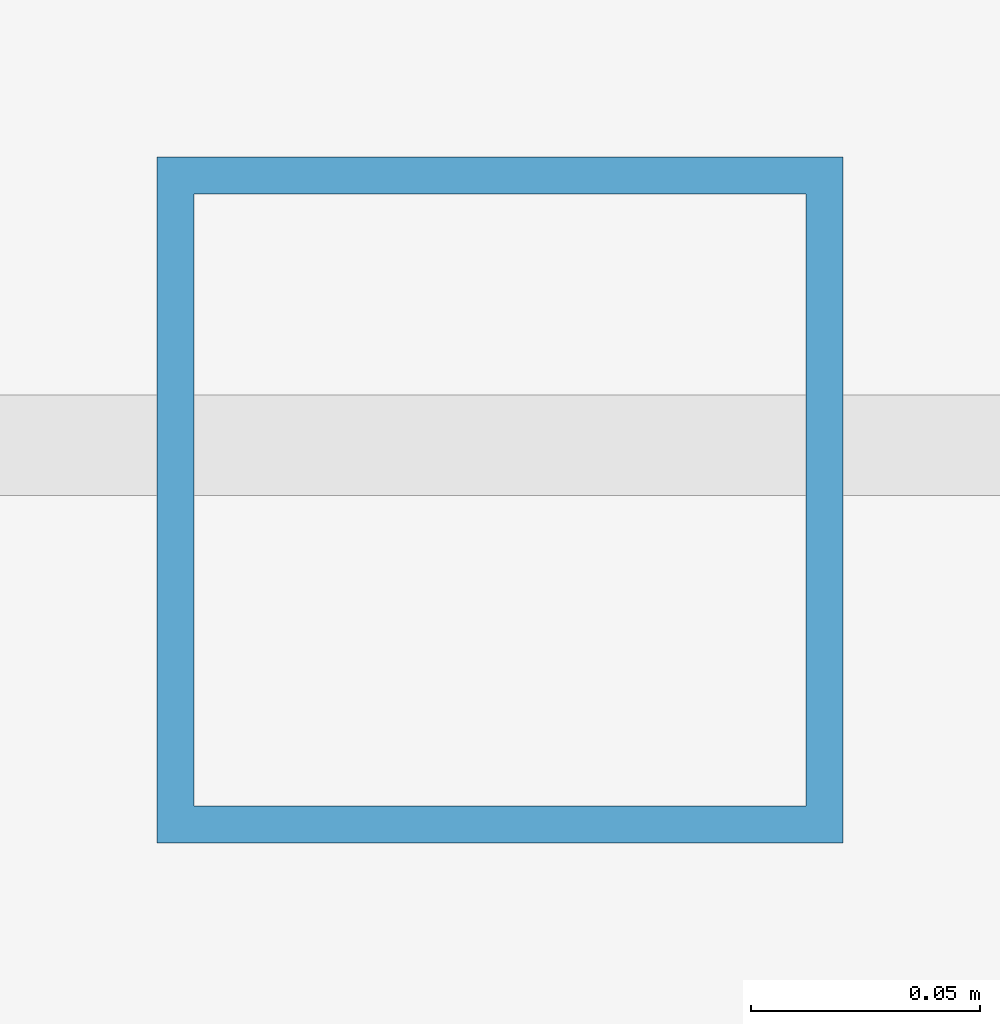
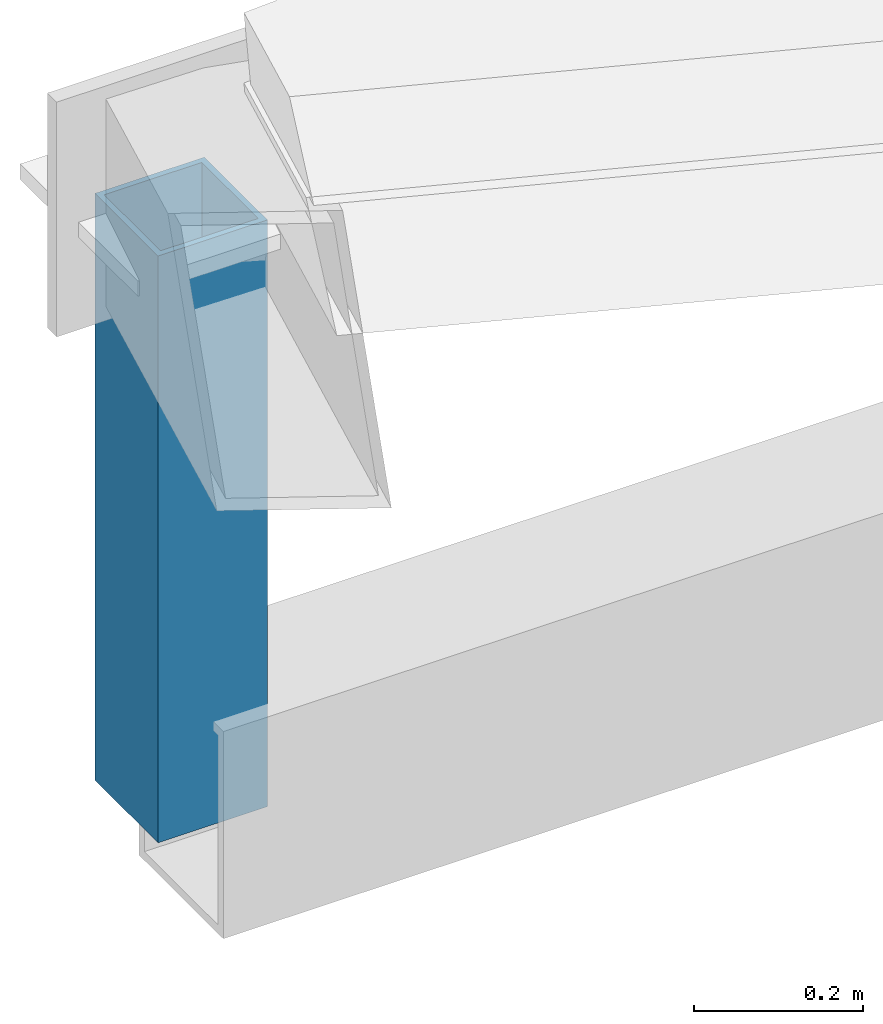
# One storey, part 13 of 18: 1 member.
"""IFC4 building model written with IfcOpenShell, lengths in metres."""

from ifc_helpers import new_model, si_unit, direction, frame, origin, origin_2d, place, context, subcontext, project, spatial, hollow_rectangle, extrude, material, material_profile, profile_set, type_object, element, save


model = new_model("IFC4")

# Units and contexts
model_context = context("Model", 3, precision=1e-05, world=origin(), true_north=direction((0.0, 1.0)))
body_context = subcontext(model_context, "Body", "Model", "MODEL_VIEW")
ifc_project = project(units=[si_unit("LENGTHUNIT", "METRE"), si_unit("AREAUNIT", "SQUARE_METRE"), si_unit("VOLUMEUNIT", "CUBIC_METRE"), si_unit("PLANEANGLEUNIT", "RADIAN"), si_unit("MASSUNIT", "GRAM", prefix="KILO")], contexts=[model_context])

# Site, building, storey
site_placement = place(None, origin())
site = spatial("IfcSite", under=ifc_project, at=site_placement, CompositionType="ELEMENT")
building_placement = place(site_placement, origin())
building = spatial("IfcBuilding", under=site, at=building_placement, Name="Deido Ridge Mobility Hub", CompositionType="ELEMENT")
storey_placement = place(building_placement, frame((0.0, 0.0, 29.39990234375)))
storey = spatial("IfcBuildingStorey", under=building, at=storey_placement, Name="RF", CompositionType="ELEMENT", Elevation=29.39990234375)

# Member
ifc_material = material(Name="Steel S355J2H EN 10210-1", Category="steel")
ifc_material_profile = material_profile(ifc_material, hollow_rectangle(XDim=0.14990234375, YDim=0.14990234375, WallThickness=0.008056640625, at=origin_2d()), Name="SHS 150x150x8")
ifc_profile_set = profile_set([ifc_material_profile], Name="Steel S355J2H EN 10210-1")
member_type = type_object("IfcMemberType", Name="MEM-PST-SHS150", PredefinedType="POST", material=ifc_profile_set)
member_placement = place(storey_placement, frame((149.39990234375, 54.0, 0.0), z_axis=(0.0, 0.0, 1.0), x_axis=(1.0, 0.0, 0.0)))
element("IfcMember", 1, at=member_placement, inside=storey, type_object=member_type, Name="Crystal roof ridge post PS1", PredefinedType="POST", context=body_context, shape_type="SweptSolid", body=[
    extrude(hollow_rectangle(XDim=0.14990234375, YDim=0.14990234375, WallThickness=0.008056640625, at=origin_2d()), origin(), (0.0, 0.0, 1.0), 0.85009765625),
])

save(model, "model.ifc")
